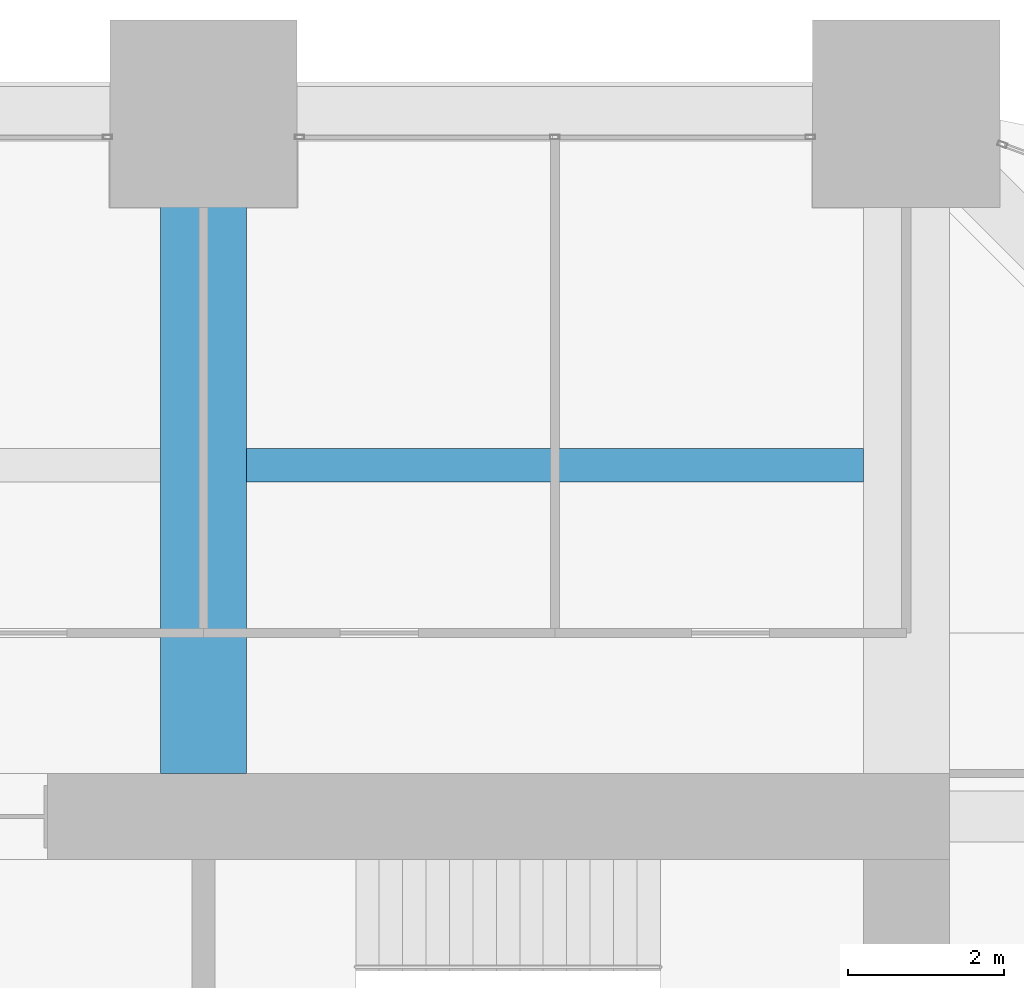
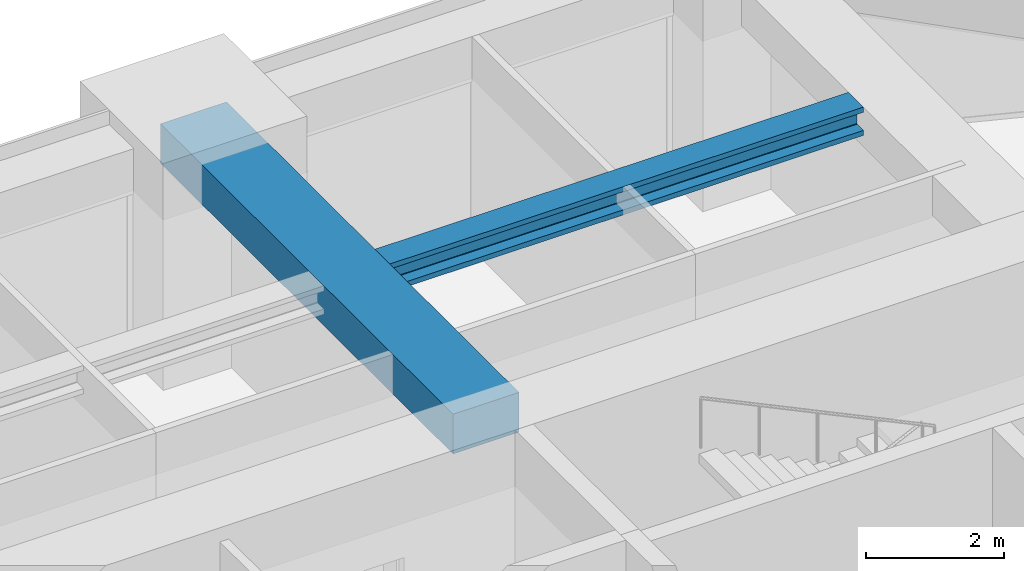
# One storey, part 35 of 45: 2 beams.
"""IFC4 building model written with IfcOpenShell, lengths in metres."""

from ifc_helpers import new_model, si_unit, direction, frame, origin, origin_2d, place, context, subcontext, project, spatial, rectangle, i_section, extrude, material, material_profile, profile_set, type_object, element, save


model = new_model("IFC4")

# Units and contexts
model_context = context("Model", 3, precision=1e-05, world=origin(), true_north=direction((0.0, 1.0)))
body_context = subcontext(model_context, "Body", "Model", "MODEL_VIEW")
ifc_project = project(units=[si_unit("LENGTHUNIT", "METRE"), si_unit("AREAUNIT", "SQUARE_METRE"), si_unit("VOLUMEUNIT", "CUBIC_METRE"), si_unit("PLANEANGLEUNIT", "RADIAN"), si_unit("MASSUNIT", "GRAM", prefix="KILO")], contexts=[model_context])

# Site, building, storey
site_placement = place(None, origin())
site = spatial("IfcSite", under=ifc_project, at=site_placement, CompositionType="ELEMENT")
building_placement = place(site_placement, origin())
building = spatial("IfcBuilding", under=site, at=building_placement, Name="Zorevar Civic Tower", CompositionType="ELEMENT")
storey_placement = place(building_placement, frame((0.0, 0.0, 247.39990234375)))
storey = spatial("IfcBuildingStorey", under=building, at=storey_placement, Name="L60", CompositionType="ELEMENT", Elevation=247.39990234375)

# Beams
ifc_material_1 = material(Name="Concrete C50/60", Category="concrete")
ifc_material_profile_1 = material_profile(ifc_material_1, rectangle(XDim=1.10009765625, YDim=0.699951171875, at=origin_2d()), Name="RC 1100x700")
ifc_profile_set_1 = profile_set([ifc_material_profile_1], Name="Concrete C50/60")
beam_type_1 = type_object("IfcBeamType", Name="Beam RC 1100x700", PredefinedType="BEAM", material=ifc_profile_set_1)
beam_1_placement = place(storey_placement, frame((36.0, 36.550048828125, 3.400146484375), z_axis=(0.0, 1.0, 0.0), x_axis=(-1.0, 0.0, 0.0)))
element("IfcBeam", 1, at=beam_1_placement, inside=storey, type_object=beam_type_1, Name="Girder L61", PredefinedType="BEAM", context=body_context, shape_type="SweptSolid", body=[
    extrude(rectangle(XDim=1.10009765625, YDim=0.699951171875, at=origin_2d()), origin(), (0.0, 0.0, 1.0), 8.449951171875),
])
ifc_material_2 = material(Name="Steel S460M (HISTAR 460)", Category="steel")
ifc_material_profile_2 = material_profile(ifc_material_2, i_section(OverallWidth=0.431884765625, OverallDepth=0.498046875, WebThickness=0.0556640625, FlangeThickness=0.0888671875, FilletRadius=0.014892578125, at=origin_2d()), Name="HD 400x744")
ifc_profile_set_2 = profile_set([ifc_material_profile_2], Name="Steel S460M (HISTAR 460)")
beam_type_2 = type_object("IfcBeamType", Name="Core bay beam HD 400x744", PredefinedType="BEAM", material=ifc_profile_set_2)
beam_2_placement = place(storey_placement, frame((36.550048828125, 40.5, 3.5009765625), z_axis=(1.0, 0.0, 0.0), x_axis=(0.0, 1.0, 0.0)))
element("IfcBeam", 2, at=beam_2_placement, inside=storey, type_object=beam_type_2, Name="Secondary beam L61", PredefinedType="BEAM", context=body_context, shape_type="SweptSolid", body=[
    extrude(i_section(OverallWidth=0.431884765625, OverallDepth=0.498046875, WebThickness=0.0556640625, FlangeThickness=0.0888671875, FilletRadius=0.014892578125, at=origin_2d()), origin(), (0.0, 0.0, 1.0), 7.89990234375),
])

save(model, "model.ifc")
